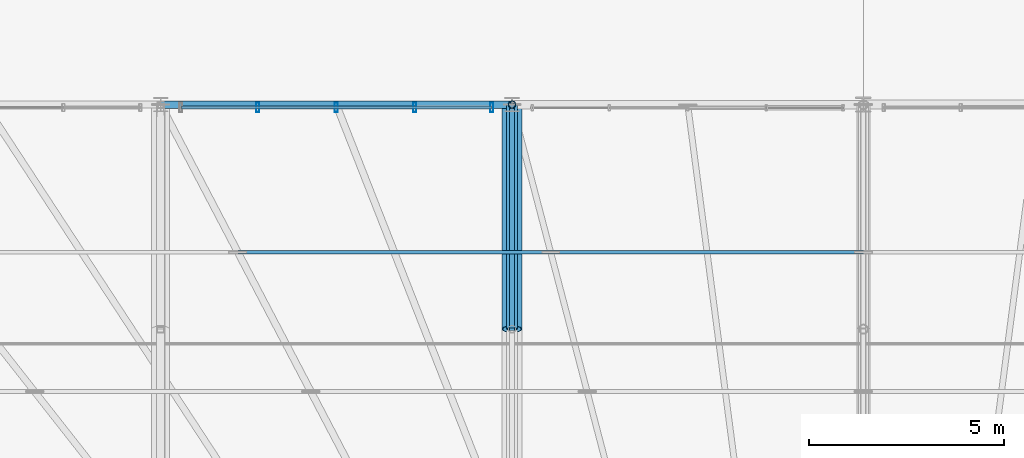
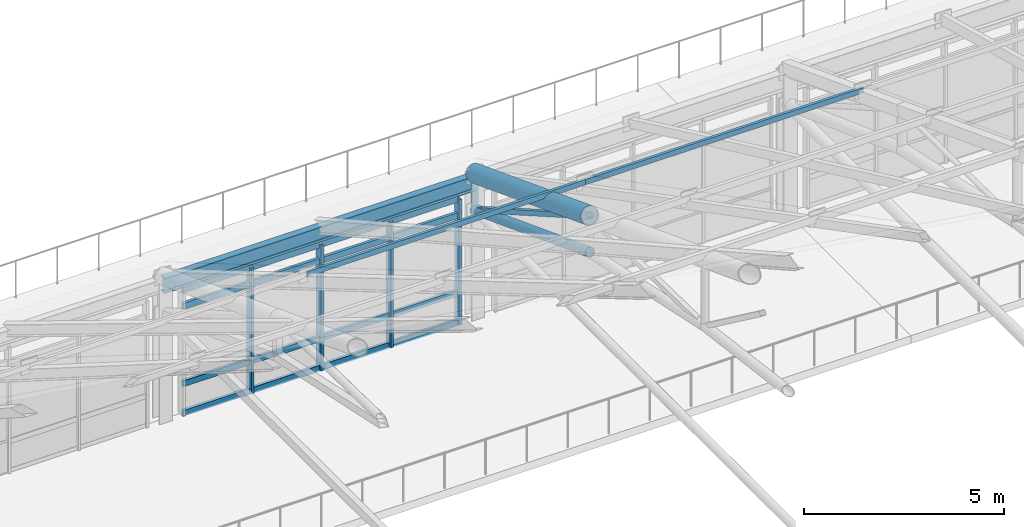
# One storey, part 57 of 168: 13 members, 2 beams, 1 element without a shape of its own.
"""IFC4 building model written with IfcOpenShell, lengths in metres."""

from ifc_helpers import new_model, si_unit, direction, frame, origin, origin_2d, place, context, subcontext, project, spatial, hollow_rectangle, hollow_circle, i_section, extrude, material, material_profile, profile_set, type_object, element, aggregate, save


model = new_model("IFC4")

# Units and contexts
model_context = context("Model", 3, precision=1e-05, world=origin(), true_north=direction((0.0, 1.0)))
body_context = subcontext(model_context, "Body", "Model", "MODEL_VIEW")
ifc_project = project(units=[si_unit("LENGTHUNIT", "METRE"), si_unit("AREAUNIT", "SQUARE_METRE"), si_unit("VOLUMEUNIT", "CUBIC_METRE"), si_unit("PLANEANGLEUNIT", "RADIAN"), si_unit("MASSUNIT", "GRAM", prefix="KILO"), si_unit("THERMODYNAMICTEMPERATUREUNIT", "KELVIN"), si_unit("POWERUNIT", "WATT")], contexts=[model_context])

# Site, building, storey
site_placement = place(None, origin())
site = spatial("IfcSite", under=ifc_project, at=site_placement, CompositionType="ELEMENT")
building_placement = place(site_placement, origin())
building = spatial("IfcBuilding", under=site, at=building_placement, Name="Tepalcoro Natatorium and Aquatics Centre", CompositionType="ELEMENT")
storey_placement = place(building_placement, frame((0.0, 0.0, 10.199951171875)))
storey = spatial("IfcBuildingStorey", under=building, at=storey_placement, Name="L02", CompositionType="ELEMENT", Elevation=10.199951171875)

# Beam
ifc_material_1 = material(Name="Terracotta Painted Hollow Steel ASTM A500 Grade C (Fy 345 MPa)", Category="masonry")
ifc_material_profile_1 = material_profile(ifc_material_1, hollow_circle(Radius=0.25390625, WallThickness=0.02001953125, at=origin_2d()), Name="CHS508X20")
ifc_profile_set_1 = profile_set([ifc_material_profile_1], Name="Terracotta Painted Hollow Steel ASTM A500 Grade C (Fy 345 MPa)")
beam_type_1 = type_object("IfcBeamType", Name="AC_CHS508x20", PredefinedType="USERDEFINED", material=ifc_profile_set_1)
beam_1_placement = place(storey_placement, frame((80.0, 53.25, 6.5419921875), z_axis=(0.0, 0.934186419385, -0.356785276935), x_axis=(-1.0, 0.0, 0.0)))
element("IfcBeam", 1, at=beam_1_placement, inside=storey, type_object=beam_type_1, Name="V1 Arched Truss Top Chord 4", ObjectType="ARCH CHORD", PredefinedType="USERDEFINED", context=body_context, shape_type="SweptSolid", body=[
    extrude(hollow_circle(Radius=0.25390625, WallThickness=0.02001953125, at=origin_2d()), origin(), (0.0, 0.0, 1.0), 6.155029296875),
])

# Curtain wall, members
ifc_material_2 = material(Name="Bronze-Anodised Extruded Aluminium Alloy EN AW-6063 T6", Category="aluminium")
curtain_wall_type = type_object("IfcCurtainWallType", Name="CW_LEAN_T2_NS", PredefinedType="USERDEFINED", material=ifc_material_2)
curtain_wall_placement = place(storey_placement, origin())
curtain_wall = element("IfcCurtainWall", 2, at=curtain_wall_placement, inside=storey, type_object=curtain_wall_type, Name="V1 L02 N Unitised Curtain Wall Bay 3", ObjectType="FACETED SOLAR GLAZING", PredefinedType="USERDEFINED")
ifc_material_profile_2 = material_profile(ifc_material_2, hollow_rectangle(XDim=0.080078125, YDim=0.239990234375, WallThickness=0.0048828125, at=origin_2d()), Name="AL80X240X5")
ifc_profile_set_2 = profile_set([ifc_material_profile_2], Name="Bronze-Anodised Extruded Aluminium Alloy EN AW-6063 T6")
member_type_1 = type_object("IfcMemberType", Name="CW_MUL_80x240", PredefinedType="MULLION", material=ifc_profile_set_2)
member_1_placement = place(storey_placement, frame((73.489990234375, 58.9287109375, 0.02001953125), z_axis=(0.0, 0.0, 1.0), x_axis=(1.0, 0.0, 0.0)))
member_1 = element("IfcMember", 3, at=member_1_placement, type_object=member_type_1, Name="CW_LEAN_T2_NS Curtain Wall Mullion", PredefinedType="MULLION", context=body_context, shape_type="SweptSolid", body=[
    extrude(hollow_rectangle(XDim=0.080078125, YDim=0.239990234375, WallThickness=0.0048828125, at=origin_2d()), origin(), (0.0, 0.0, 1.0), 3.820068359375),
])
member_2_placement = place(storey_placement, frame((75.5, 58.9287109375, 0.02001953125), z_axis=(0.0, 0.0, 1.0), x_axis=(1.0, 0.0, 0.0)))
member_2 = element("IfcMember", 4, at=member_2_placement, type_object=member_type_1, Name="CW_LEAN_T2_NS Curtain Wall Mullion", PredefinedType="MULLION", context=body_context, shape_type="SweptSolid", body=[
    extrude(hollow_rectangle(XDim=0.080078125, YDim=0.239990234375, WallThickness=0.0048828125, at=origin_2d()), origin(), (0.0, 0.0, 1.0), 3.820068359375),
])
member_3_placement = place(storey_placement, frame((77.510009765625, 58.9287109375, 0.02001953125), z_axis=(0.0, 0.0, 1.0), x_axis=(1.0, 0.0, 0.0)))
member_3 = element("IfcMember", 5, at=member_3_placement, type_object=member_type_1, Name="CW_LEAN_T2_NS Curtain Wall Mullion", PredefinedType="MULLION", context=body_context, shape_type="SweptSolid", body=[
    extrude(hollow_rectangle(XDim=0.080078125, YDim=0.239990234375, WallThickness=0.0048828125, at=origin_2d()), origin(), (0.0, 0.0, 1.0), 3.820068359375),
])
member_4_placement = place(storey_placement, frame((79.47998046875, 58.9287109375, 0.02001953125), z_axis=(0.0, 0.0, 1.0), x_axis=(1.0, 0.0, 0.0)))
member_4 = element("IfcMember", 6, at=member_4_placement, type_object=member_type_1, Name="CW_LEAN_T2_NS Curtain Wall Mullion", PredefinedType="MULLION", context=body_context, shape_type="SweptSolid", body=[
    extrude(hollow_rectangle(XDim=0.080078125, YDim=0.239990234375, WallThickness=0.0048828125, at=origin_2d()), origin(), (0.0, 0.0, 1.0), 3.820068359375),
])
ifc_material_profile_3 = material_profile(ifc_material_2, hollow_rectangle(XDim=0.080078125, YDim=0.179931640625, WallThickness=0.0048828125, at=origin_2d()), Name="AL80X180X5")
ifc_profile_set_3 = profile_set([ifc_material_profile_3], Name="Bronze-Anodised Extruded Aluminium Alloy EN AW-6063 T6")
member_type_2 = type_object("IfcMemberType", Name="CW_TRN_80x180", PredefinedType="USERDEFINED", material=ifc_profile_set_3)
member_5_placement = place(storey_placement, frame((71.530029296875, 58.9287109375, 0.050048828125), z_axis=(1.0, 0.0, 0.0), x_axis=(0.0, 1.0, 0.0)))
member_5 = element("IfcMember", 7, at=member_5_placement, type_object=member_type_2, Name="CW_LEAN_T2_NS Curtain Wall Transom", ObjectType="TRANSOM", PredefinedType="USERDEFINED", context=body_context, shape_type="SweptSolid", body=[
    extrude(hollow_rectangle(XDim=0.080078125, YDim=0.179931640625, WallThickness=0.0048828125, at=origin_2d()), origin(), (0.0, 0.0, 1.0), 7.93994140625),
])
member_6_placement = place(storey_placement, frame((71.530029296875, 58.9287109375, 0.949951171875), z_axis=(1.0, 0.0, 0.0), x_axis=(0.0, 1.0, 0.0)))
member_6 = element("IfcMember", 8, at=member_6_placement, type_object=member_type_2, Name="CW_LEAN_T2_NS Curtain Wall Transom", ObjectType="TRANSOM", PredefinedType="USERDEFINED", context=body_context, shape_type="SweptSolid", body=[
    extrude(hollow_rectangle(XDim=0.080078125, YDim=0.179931640625, WallThickness=0.0048828125, at=origin_2d()), origin(), (0.0, 0.0, 1.0), 7.93994140625),
])
member_7_placement = place(storey_placement, frame((71.530029296875, 58.9287109375, 3.31005859375), z_axis=(1.0, 0.0, 0.0), x_axis=(0.0, 1.0, 0.0)))
member_7 = element("IfcMember", 9, at=member_7_placement, type_object=member_type_2, Name="CW_LEAN_T2_NS Curtain Wall Transom", ObjectType="TRANSOM", PredefinedType="USERDEFINED", context=body_context, shape_type="SweptSolid", body=[
    extrude(hollow_rectangle(XDim=0.080078125, YDim=0.179931640625, WallThickness=0.0048828125, at=origin_2d()), origin(), (0.0, 0.0, 1.0), 7.93994140625),
])
member_8_placement = place(storey_placement, frame((71.530029296875, 58.9287109375, 3.81005859375), z_axis=(1.0, 0.0, 0.0), x_axis=(0.0, 1.0, 0.0)))
member_8 = element("IfcMember", 10, at=member_8_placement, type_object=member_type_2, Name="CW_LEAN_T2_NS Curtain Wall Transom", ObjectType="TRANSOM", PredefinedType="USERDEFINED", context=body_context, shape_type="SweptSolid", body=[
    extrude(hollow_rectangle(XDim=0.080078125, YDim=0.179931640625, WallThickness=0.0048828125, at=origin_2d()), origin(), (0.0, 0.0, 1.0), 7.93994140625),
])
aggregate(curtain_wall, [member_1, member_2, member_3, member_4, member_5, member_6, member_7, member_8])

# Members
ifc_material_profile_4 = material_profile(ifc_material_1, hollow_circle(Radius=0.136474609375, WallThickness=0.01611328125, at=origin_2d()), Name="CHS273X16")
ifc_profile_set_4 = profile_set([ifc_material_profile_4], Name="Terracotta Painted Hollow Steel ASTM A500 Grade C (Fy 345 MPa)")
member_type_3 = type_object("IfcMemberType", Name="MB_CH_CHS273x16", PredefinedType="CHORD", material=ifc_profile_set_4)
member_9_placement = place(storey_placement, frame((80.0, 53.25, 5.42822265625), z_axis=(0.0, 0.934938504652, -0.354809797664), x_axis=(-1.0, 0.0, 0.0)))
element("IfcMember", 11, at=member_9_placement, inside=storey, type_object=member_type_3, Name="V1 Arched Truss Bottom Chord 4", PredefinedType="CHORD", context=body_context, shape_type="SweptSolid", body=[
    extrude(hollow_circle(Radius=0.136474609375, WallThickness=0.01611328125, at=origin_2d()), origin(), (0.0, 0.0, 1.0), 6.150146484375),
])
ifc_material_3 = material(Name="Hollow Steel ASTM A500 Grade C (Fy 345 MPa)", Category="steel")
ifc_material_profile_5 = material_profile(ifc_material_3, hollow_rectangle(XDim=0.080078125, YDim=0.159912109375, WallThickness=0.008056640625, at=origin_2d()), Name="HSS160X80X8")
ifc_profile_set_5 = profile_set([ifc_material_profile_5], Name="Hollow Steel ASTM A500 Grade C (Fy 345 MPa)")
member_type_4 = type_object("IfcMemberType", Name="MB_PR_HSS160x80x8", PredefinedType="PURLIN", material=ifc_profile_set_5)
for number, where, z_axis, x_axis, name in (
    (12, (72.97998046875, 55.219970703125, 6.03662109375), (1.0, 0.0, 0.0), (0.0, 1.0, 0.0), "Pyramid Horizontal Purlin North"),
    (13, (80.989990234375, 55.219970703125, 6.03662109375), (1.0, 0.0, 0.0), (0.0, 1.0, 0.0), "Pyramid Horizontal Purlin North"),
):
    element("IfcMember", number, at=place(storey_placement, frame(where, z_axis=z_axis, x_axis=x_axis)), inside=storey, type_object=member_type_4, Name=name, PredefinedType="PURLIN", context=body_context, shape_type="SweptSolid", body=[
        extrude(hollow_rectangle(XDim=0.080078125, YDim=0.159912109375, WallThickness=0.008056640625, at=origin_2d()), origin(), (0.0, 0.0, 1.0), 8.010009765625),
    ])
ifc_material_profile_6 = material_profile(ifc_material_1, hollow_circle(Radius=0.096923828125, WallThickness=0.010009765625, at=origin_2d()), Name="CHS194X10")
ifc_profile_set_6 = profile_set([ifc_material_profile_6], Name="Terracotta Painted Hollow Steel ASTM A500 Grade C (Fy 345 MPa)")
member_type_5 = type_object("IfcMemberType", Name="MB_PS_CHS194x10", PredefinedType="POST", material=ifc_profile_set_6)
member_10_placement = place(storey_placement, frame((80.0, 59.0, 3.24609375), z_axis=(0.0, 0.0, 1.0), x_axis=(1.0, 0.0, 0.0)))
element("IfcMember", 14, at=member_10_placement, inside=storey, type_object=member_type_5, Name="V1 Arched Truss Vertical Post 4", PredefinedType="POST", context=body_context, shape_type="SweptSolid", body=[
    extrude(hollow_circle(Radius=0.096923828125, WallThickness=0.010009765625, at=origin_2d()), origin(), (0.0, 0.0, 1.0), 1.099853515625),
])
ifc_material_profile_7 = material_profile(ifc_material_3, hollow_rectangle(XDim=0.139892578125, YDim=0.139892578125, WallThickness=0.008056640625, at=origin_2d()), Name="HSS140X140X8")
ifc_profile_set_7 = profile_set([ifc_material_profile_7], Name="Hollow Steel ASTM A500 Grade C (Fy 345 MPa)")
member_type_6 = type_object("IfcMemberType", Name="MB_ST_HSS140x140x8", PredefinedType="STRUT", material=ifc_profile_set_7)
member_11_placement = place(storey_placement, frame((80.0, 53.25, 6.5419921875), z_axis=(0.0, 0.867580440338, -0.497296872646), x_axis=(-1.0, 0.0, 0.0)))
element("IfcMember", 15, at=member_11_placement, inside=storey, type_object=member_type_6, Name="V1 Arched Truss Web Diagonal 4", PredefinedType="STRUT", context=body_context, shape_type="SweptSolid", body=[
    extrude(hollow_rectangle(XDim=0.139892578125, YDim=0.139892578125, WallThickness=0.008056640625, at=origin_2d()), origin(), (0.0, 0.0, 1.0), 6.627685546875),
])

# Beam
ifc_material_4 = material(Name="Steel ASTM A992 Grade 50 (Fy 345 MPa)", Category="steel")
ifc_material_profile_8 = material_profile(ifc_material_4, i_section(OverallWidth=0.19091796875, OverallDepth=0.4599609375, WebThickness=0.010009765625, FlangeThickness=0.01611328125, FilletRadius=0.013916015625, at=origin_2d()), Name="W18X55")
ifc_profile_set_8 = profile_set([ifc_material_profile_8], Name="Steel ASTM A992 Grade 50 (Fy 345 MPa)")
beam_type_2 = type_object("IfcBeamType", Name="SP_W18x55", PredefinedType="SPANDREL", material=ifc_profile_set_8)
beam_2_placement = place(storey_placement, frame((71.0, 59.0, 4.10498046875), z_axis=(1.0, 0.0, 0.0), x_axis=(0.0, 1.0, 0.0)))
element("IfcBeam", 16, at=beam_2_placement, inside=storey, type_object=beam_type_2, Name="V1 L02 Grid Girder X", PredefinedType="SPANDREL", context=body_context, shape_type="SweptSolid", body=[
    extrude(i_section(OverallWidth=0.19091796875, OverallDepth=0.4599609375, WebThickness=0.010009765625, FlangeThickness=0.01611328125, FilletRadius=0.013916015625, at=origin_2d()), origin(), (0.0, 0.0, 1.0), 9.0),
])

save(model, "model.ifc")
